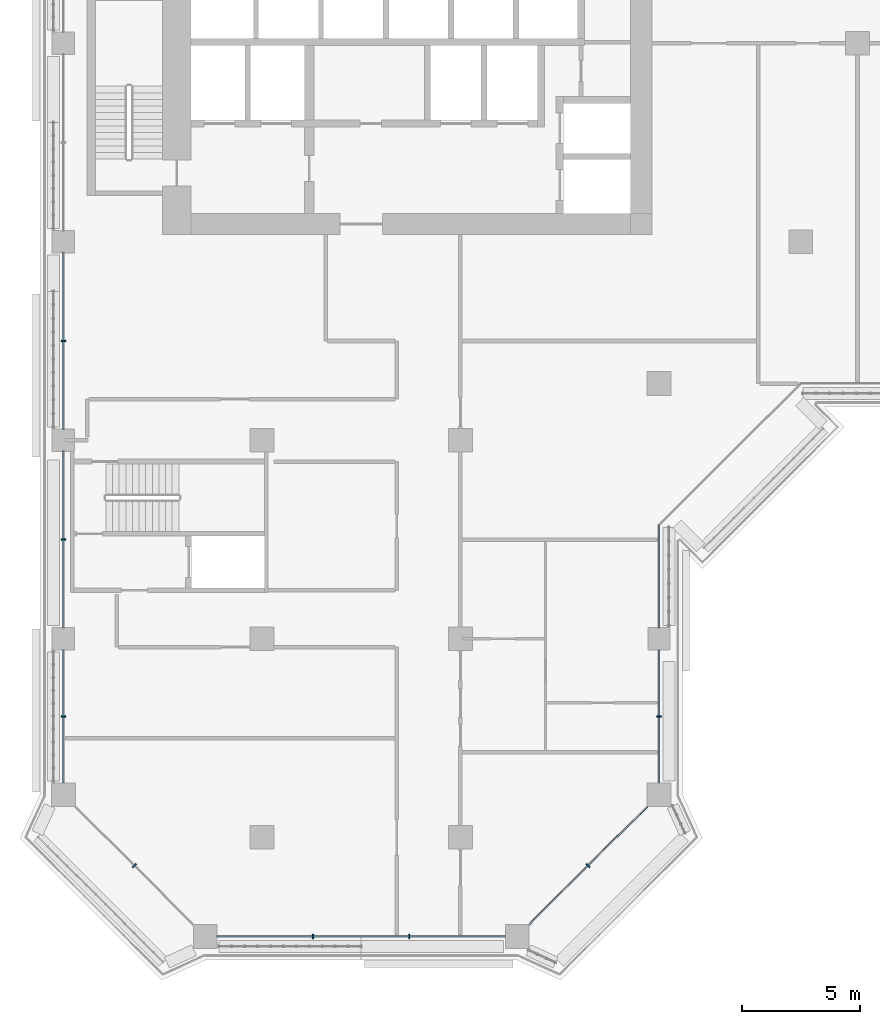
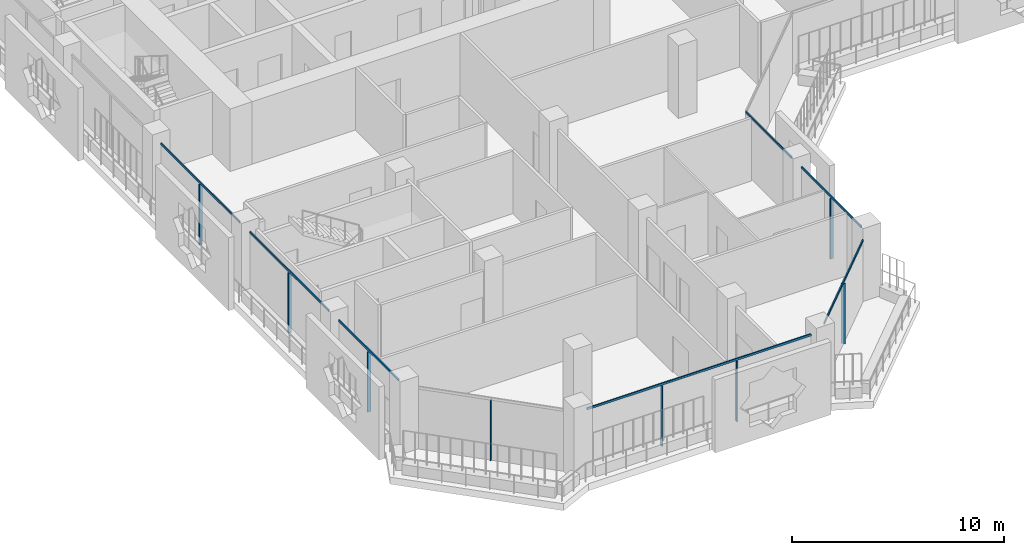
# One storey, part 2 of 22: 15 members, 5 elements without a shape of their own.
"""IFC4 building model written with IfcOpenShell, lengths in metres."""

from ifc_helpers import new_model, si_unit, direction, frame, origin, origin_2d, place, context, subcontext, project, spatial, rectangle, extrude, material, layer, layer_set, material_profile, profile_set, type_object, element, aggregate, save


model = new_model("IFC4")

# Units and contexts
model_context = context("Model", 3, precision=1e-05, world=origin(), true_north=direction((0.0, 1.0)))
body_context = subcontext(model_context, "Body", "Model", "MODEL_VIEW")
ifc_project = project(units=[si_unit("LENGTHUNIT", "METRE"), si_unit("AREAUNIT", "SQUARE_METRE"), si_unit("VOLUMEUNIT", "CUBIC_METRE"), si_unit("PLANEANGLEUNIT", "RADIAN"), si_unit("MASSUNIT", "GRAM", prefix="KILO")], contexts=[model_context])

# Site, building, storey
site_placement = place(None, origin())
site = spatial("IfcSite", under=ifc_project, at=site_placement, CompositionType="ELEMENT")
building_placement = place(site_placement, origin())
building = spatial("IfcBuilding", under=site, at=building_placement, Name="Kawkab Arch Medical Tower", CompositionType="ELEMENT")
storey_placement = place(building_placement, frame((0.0, 0.0, 204.60009765625)))
storey = spatial("IfcBuildingStorey", under=building, at=storey_placement, Name="L47", CompositionType="ELEMENT", Elevation=204.60009765625)

# Curtain wall, members
ifc_material_1 = material(Name="Bronze anodised aluminium curtain wall frame", Category="aluminium")
ifc_layer_1 = layer(ifc_material_1, 0.159912109375)
ifc_layer_set_1 = layer_set([ifc_layer_1], Name="Bronze anodised aluminium curtain wall frame")
curtain_wall_type_1 = type_object("IfcCurtainWallType", Name="CW1 ward curtain wall", PredefinedType="NOTDEFINED", material=ifc_layer_set_1)
placement = place(storey_placement, origin())
curtain_wall_1 = element("IfcCurtainWall", 1, at=placement, inside=storey, type_object=curtain_wall_type_1, Name="CW1 Ward curtain wall R01", PredefinedType="NOTDEFINED")
ifc_material_2 = material(Name="Bronze anodised aluminium curtain wall frame", Category="aluminium")
ifc_material_profile_1 = material_profile(ifc_material_2, rectangle(XDim=0.179931640625, YDim=0.06005859375, at=origin_2d()), Name="AL 60x180")
ifc_profile_set_1 = profile_set([ifc_material_profile_1], Name="Bronze anodised aluminium curtain wall frame")
member_type_1 = type_object("IfcMemberType", Name="CW1 mullion 60 x 180", PredefinedType="MULLION", material=ifc_profile_set_1)
member_1_placement = place(storey_placement, frame((0.0, -29.39990234375, 0.0), z_axis=(0.0, 0.0, 1.0), x_axis=(1.0, 0.0, 0.0)))
member_1 = element("IfcMember", 2, at=member_1_placement, type_object=member_type_1, Name="CW1 mullion 3.1", PredefinedType="MULLION", context=body_context, shape_type="SweptSolid", body=[
    extrude(rectangle(XDim=0.179931640625, YDim=0.06005859375, at=origin_2d()), origin(), (0.0, 0.0, 1.0), 3.47998046875),
])
member_2_placement = place(storey_placement, frame((0.0, -37.800048828125, 0.0), z_axis=(0.0, 0.0, 1.0), x_axis=(1.0, 0.0, 0.0)))
member_2 = element("IfcMember", 3, at=member_2_placement, type_object=member_type_1, Name="CW1 mullion 4.1", PredefinedType="MULLION", context=body_context, shape_type="SweptSolid", body=[
    extrude(rectangle(XDim=0.179931640625, YDim=0.06005859375, at=origin_2d()), origin(), (0.0, 0.0, 1.0), 3.47998046875),
])
member_3_placement = place(storey_placement, frame((0.0, -45.28759765625, 0.0), z_axis=(0.0, 0.0, 1.0), x_axis=(1.0, 0.0, 0.0)))
member_3 = element("IfcMember", 4, at=member_3_placement, type_object=member_type_1, Name="CW1 mullion 5.1", PredefinedType="MULLION", context=body_context, shape_type="SweptSolid", body=[
    extrude(rectangle(XDim=0.179931640625, YDim=0.06005859375, at=origin_2d()), origin(), (0.0, 0.0, 1.0), 3.47998046875),
])

curtain_wall_2 = element("IfcCurtainWall", 5, at=placement, inside=storey, type_object=curtain_wall_type_1, Name="CW1 Ward curtain wall R03", PredefinedType="NOTDEFINED")
member_4_placement = place(storey_placement, frame((10.566650390625, -54.60009765625, 0.0), z_axis=(0.0, 0.0, 1.0), x_axis=(0.0, 1.0, 0.0)))
member_4 = element("IfcMember", 6, at=member_4_placement, type_object=member_type_1, Name="CW1 mullion 1.1", PredefinedType="MULLION", context=body_context, shape_type="SweptSolid", body=[
    extrude(rectangle(XDim=0.179931640625, YDim=0.06005859375, at=origin_2d()), origin(), (0.0, 0.0, 1.0), 3.47998046875),
])
member_5_placement = place(storey_placement, frame((14.63330078125, -54.60009765625, 0.0), z_axis=(0.0, 0.0, 1.0), x_axis=(0.0, 1.0, 0.0)))
member_5 = element("IfcMember", 7, at=member_5_placement, type_object=member_type_1, Name="CW1 mullion 1.2", PredefinedType="MULLION", context=body_context, shape_type="SweptSolid", body=[
    extrude(rectangle(XDim=0.179931640625, YDim=0.06005859375, at=origin_2d()), origin(), (0.0, 0.0, 1.0), 3.47998046875),
])

# Curtain wall, member
curtain_wall_3 = element("IfcCurtainWall", 8, at=placement, inside=storey, type_object=curtain_wall_type_1, Name="CW1 Ward curtain wall R05", PredefinedType="NOTDEFINED")
member_6_placement = place(storey_placement, frame((25.199951171875, -45.28759765625, 0.0), z_axis=(0.0, 0.0, 1.0), x_axis=(-1.0, 0.0, 0.0)))
member_6 = element("IfcMember", 9, at=member_6_placement, type_object=member_type_1, Name="CW1 mullion 1.1", PredefinedType="MULLION", context=body_context, shape_type="SweptSolid", body=[
    extrude(rectangle(XDim=0.179931640625, YDim=0.06005859375, at=origin_2d()), origin(), (0.0, 0.0, 1.0), 3.47998046875),
])

# Member
ifc_material_3 = material(Name="Bronze anodised aluminium curtain wall frame", Category="aluminium")
ifc_material_profile_2 = material_profile(ifc_material_3, rectangle(XDim=0.06005859375, YDim=0.1201171875, at=origin_2d()), Name="AL 60x120")
ifc_profile_set_2 = profile_set([ifc_material_profile_2], Name="Bronze anodised aluminium curtain wall frame")
member_type_2 = type_object("IfcMemberType", Name="CW1 transom 120 x 60", PredefinedType="USERDEFINED", material=ifc_profile_set_2)
member_7_placement = place(storey_placement, frame((0.0, -25.675048828125, 3.539794921875), z_axis=(0.0, -1.0, 0.0), x_axis=(1.0, 0.0, 0.0)))
member_7 = element("IfcMember", 10, at=member_7_placement, type_object=member_type_2, Name="CW1 transom 3", ObjectType="TRANSOM", PredefinedType="USERDEFINED", context=body_context, shape_type="SweptSolid", body=[
    extrude(rectangle(XDim=0.06005859375, YDim=0.1201171875, at=origin_2d()), origin(), (0.0, 0.0, 1.0), 7.449951171875),
])

member_8_placement = place(storey_placement, frame((0.0, -34.074951171875, 3.539794921875), z_axis=(0.0, -1.0, 0.0), x_axis=(1.0, 0.0, 0.0)))
member_8 = element("IfcMember", 11, at=member_8_placement, type_object=member_type_2, Name="CW1 transom 4", ObjectType="TRANSOM", PredefinedType="USERDEFINED", context=body_context, shape_type="SweptSolid", body=[
    extrude(rectangle(XDim=0.06005859375, YDim=0.1201171875, at=origin_2d()), origin(), (0.0, 0.0, 1.0), 7.449951171875),
])

member_9_placement = place(storey_placement, frame((0.0, -42.47509765625, 3.539794921875), z_axis=(0.0, -1.0, 0.0), x_axis=(1.0, 0.0, 0.0)))
member_9 = element("IfcMember", 12, at=member_9_placement, type_object=member_type_2, Name="CW1 transom 5", ObjectType="TRANSOM", PredefinedType="USERDEFINED", context=body_context, shape_type="SweptSolid", body=[
    extrude(rectangle(XDim=0.06005859375, YDim=0.1201171875, at=origin_2d()), origin(), (0.0, 0.0, 1.0), 5.625),
])

aggregate(curtain_wall_1, [member_7, member_1, member_8, member_2, member_9, member_3])

member_10_placement = place(storey_placement, frame((6.5, -54.60009765625, 3.539794921875), z_axis=(1.0, 0.0, 0.0), x_axis=(0.0, 1.0, 0.0)))
member_10 = element("IfcMember", 13, at=member_10_placement, type_object=member_type_2, Name="CW1 transom 1", ObjectType="TRANSOM", PredefinedType="USERDEFINED", context=body_context, shape_type="SweptSolid", body=[
    extrude(rectangle(XDim=0.06005859375, YDim=0.1201171875, at=origin_2d()), origin(), (0.0, 0.0, 1.0), 12.199951171875),
])

aggregate(curtain_wall_2, [member_10, member_4, member_5])

member_11_placement = place(storey_placement, frame((25.199951171875, -48.10009765625, 3.539794921875), z_axis=(0.0, 1.0, 0.0), x_axis=(-1.0, 0.0, 0.0)))
member_11 = element("IfcMember", 14, at=member_11_placement, type_object=member_type_2, Name="CW1 transom 1", ObjectType="TRANSOM", PredefinedType="USERDEFINED", context=body_context, shape_type="SweptSolid", body=[
    extrude(rectangle(XDim=0.06005859375, YDim=0.1201171875, at=origin_2d()), origin(), (0.0, 0.0, 1.0), 5.625),
])

member_12_placement = place(storey_placement, frame((25.199951171875, -41.52490234375, 3.539794921875), z_axis=(0.0, 1.0, 0.0), x_axis=(-1.0, 0.0, 0.0)))
member_12 = element("IfcMember", 15, at=member_12_placement, type_object=member_type_2, Name="CW1 transom 2", ObjectType="TRANSOM", PredefinedType="USERDEFINED", context=body_context, shape_type="SweptSolid", body=[
    extrude(rectangle(XDim=0.06005859375, YDim=0.1201171875, at=origin_2d()), origin(), (0.0, 0.0, 1.0), 4.324951171875),
])

aggregate(curtain_wall_3, [member_11, member_6, member_12])

# Curtain wall, member
ifc_material_4 = material(Name="Bronze anodised aluminium curtain wall frame", Category="aluminium")
ifc_layer_2 = layer(ifc_material_4, 0.159912109375)
ifc_layer_set_2 = layer_set([ifc_layer_2], Name="Bronze anodised aluminium curtain wall frame")
curtain_wall_type_2 = type_object("IfcCurtainWallType", Name="CW2 chamfer curtain wall", PredefinedType="NOTDEFINED", material=ifc_layer_set_2)
curtain_wall_4 = element("IfcCurtainWall", 16, at=placement, inside=storey, type_object=curtain_wall_type_2, Name="CW2 Chamfer curtain wall R02", PredefinedType="NOTDEFINED")
ifc_material_5 = material(Name="Bronze anodised aluminium curtain wall frame", Category="aluminium")
ifc_material_profile_3 = material_profile(ifc_material_5, rectangle(XDim=0.199951171875, YDim=0.06005859375, at=origin_2d()), Name="AL 60x200")
ifc_profile_set_3 = profile_set([ifc_material_profile_3], Name="Bronze anodised aluminium curtain wall frame")
member_type_3 = type_object("IfcMemberType", Name="CW2 mullion 60 x 200", PredefinedType="MULLION", material=ifc_profile_set_3)
member_13_placement = place(storey_placement, frame((3.0, -51.60009765625, 0.0), z_axis=(0.0, 0.0, 1.0), x_axis=(0.707106781187, 0.707106781187, 0.0)))
member_13 = element("IfcMember", 17, at=member_13_placement, type_object=member_type_3, Name="CW2 mullion 1.1", PredefinedType="MULLION", context=body_context, shape_type="SweptSolid", body=[
    extrude(rectangle(XDim=0.199951171875, YDim=0.06005859375, at=origin_2d()), origin(), (0.0, 0.0, 1.0), 3.4599609375),
])
aggregate(curtain_wall_4, [member_13])

# Curtain wall, members
curtain_wall_5 = element("IfcCurtainWall", 18, at=placement, inside=storey, type_object=curtain_wall_type_2, Name="CW2 Chamfer curtain wall R04", PredefinedType="NOTDEFINED")
member_14_placement = place(storey_placement, frame((22.199951171875, -51.60009765625, 0.0), z_axis=(0.0, 0.0, 1.0), x_axis=(-0.707106781187, 0.707106781187, 0.0)))
member_14 = element("IfcMember", 19, at=member_14_placement, type_object=member_type_3, Name="CW2 mullion 1.1", PredefinedType="MULLION", context=body_context, shape_type="SweptSolid", body=[
    extrude(rectangle(XDim=0.199951171875, YDim=0.06005859375, at=origin_2d()), origin(), (0.0, 0.0, 1.0), 3.4599609375),
])
ifc_material_6 = material(Name="Bronze anodised aluminium curtain wall frame", Category="aluminium")
ifc_material_profile_4 = material_profile(ifc_material_6, rectangle(XDim=0.06005859375, YDim=0.139892578125, at=origin_2d()), Name="AL 60x140")
ifc_profile_set_4 = profile_set([ifc_material_profile_4], Name="Bronze anodised aluminium curtain wall frame")
member_type_4 = type_object("IfcMemberType", Name="CW2 transom 140 x 60", PredefinedType="USERDEFINED", material=ifc_profile_set_4)
member_15_placement = place(storey_placement, frame((19.699951171875, -54.10009765625, 3.52978515625), z_axis=(0.707106781187, 0.707106781187, 0.0), x_axis=(-0.707106781187, 0.707106781187, 0.0)))
member_15 = element("IfcMember", 20, at=member_15_placement, type_object=member_type_4, Name="CW2 transom 1", ObjectType="TRANSOM", PredefinedType="USERDEFINED", context=body_context, shape_type="SweptSolid", body=[
    extrude(rectangle(XDim=0.06005859375, YDim=0.139892578125, at=origin_2d()), origin(), (0.0, 0.0, 1.0), 7.071044921875),
])
aggregate(curtain_wall_5, [member_15, member_14])

save(model, "model.ifc")
